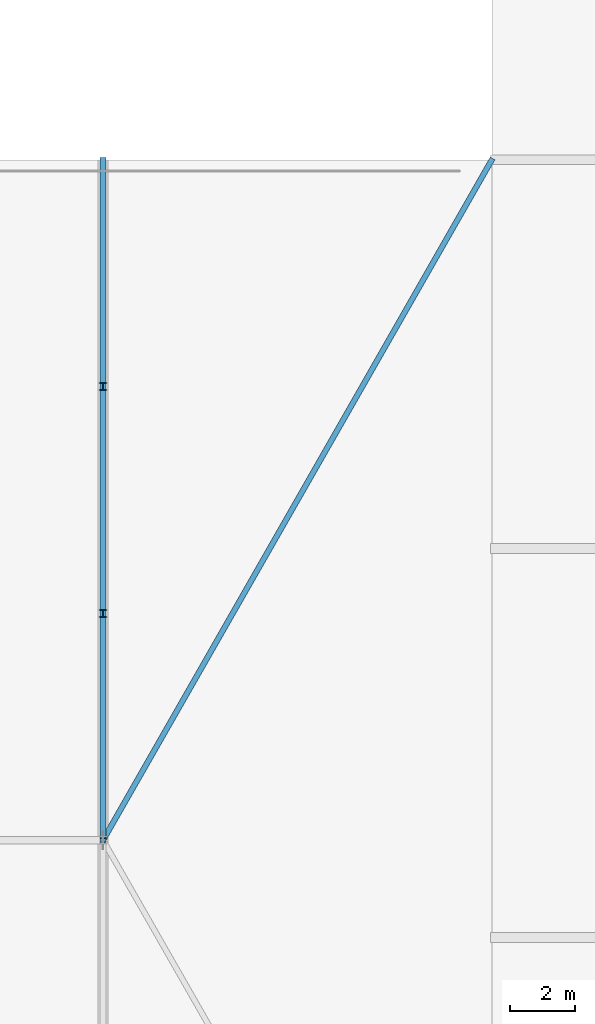
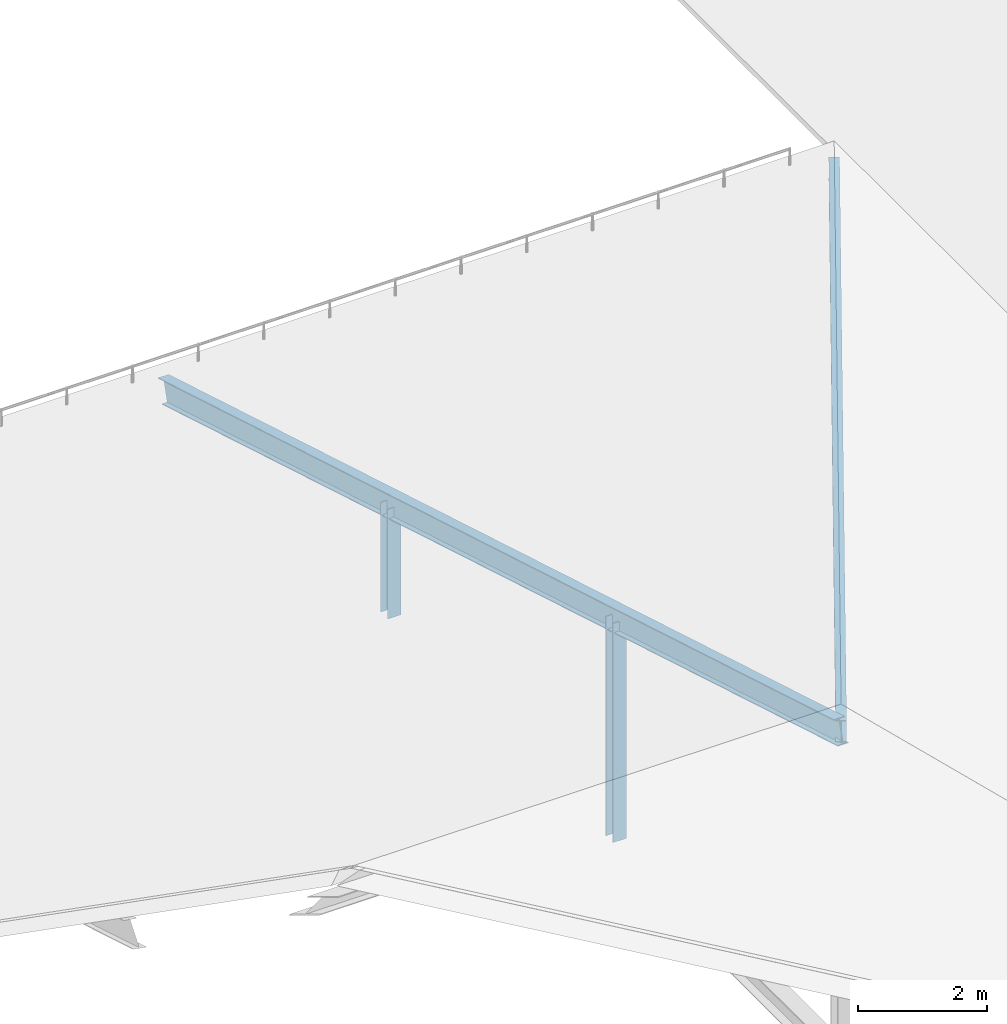
# One storey, part 50 of 204: 4 members.
"""IFC4 building model written with IfcOpenShell, lengths in metres."""

from ifc_helpers import new_model, si_unit, direction, frame, origin, origin_2d, place, context, subcontext, project, spatial, i_section, extrude, material, material_profile, profile_set, type_object, element, save


model = new_model("IFC4")

# Units and contexts
model_context = context("Model", 3, precision=1e-05, world=origin(), true_north=direction((0.0, 1.0)))
body_context = subcontext(model_context, "Body", "Model", "MODEL_VIEW")
ifc_project = project(units=[si_unit("LENGTHUNIT", "METRE"), si_unit("AREAUNIT", "SQUARE_METRE"), si_unit("VOLUMEUNIT", "CUBIC_METRE"), si_unit("PLANEANGLEUNIT", "RADIAN"), si_unit("MASSUNIT", "GRAM", prefix="KILO")], contexts=[model_context])

# Site, building, storey
site_placement = place(None, origin())
site = spatial("IfcSite", under=ifc_project, at=site_placement, CompositionType="ELEMENT")
building_placement = place(site_placement, origin())
building = spatial("IfcBuilding", under=site, at=building_placement, Name="Zilviju Railside Exhibition Hall", CompositionType="ELEMENT")
storey_placement = place(building_placement, frame((0.0, 0.0, 21.0)))
storey = spatial("IfcBuildingStorey", under=building, at=storey_placement, Name="RF", CompositionType="ELEMENT", Elevation=21.0)

# Members
ifc_material = material(Name="Steel S355J2", Category="steel")
ifc_material_profile_1 = material_profile(ifc_material, i_section(OverallWidth=0.239990234375, OverallDepth=0.22998046875, WebThickness=0.007568359375, FlangeThickness=0.011962890625, at=origin_2d()), Name="HEA 240")
ifc_profile_set_1 = profile_set([ifc_material_profile_1], Name="Steel S355J2")
member_type_1 = type_object("IfcMemberType", Name="TR-POST-HEA240", PredefinedType="POST", material=ifc_profile_set_1)
member_1_placement = place(storey_placement, frame((36.0, 64.0, -8.39990234375), z_axis=(0.0, 0.0, 1.0), x_axis=(1.0, 0.0, 0.0)))
element("IfcMember", 1, at=member_1_placement, inside=storey, type_object=member_type_1, Name="Congress Truss Web Post X=36.0", PredefinedType="POST", context=body_context, shape_type="SweptSolid", body=[
    extrude(i_section(OverallWidth=0.239990234375, OverallDepth=0.22998046875, WebThickness=0.007568359375, FlangeThickness=0.011962890625, at=origin_2d()), origin(), (0.0, 0.0, 1.0), 4.159912109375),
])
member_2_placement = place(storey_placement, frame((36.0, 71.0, -8.39990234375), z_axis=(0.0, 0.0, 1.0), x_axis=(1.0, 0.0, 0.0)))
element("IfcMember", 2, at=member_2_placement, inside=storey, type_object=member_type_1, Name="Congress Truss Web Post X=36.0", PredefinedType="POST", context=body_context, shape_type="SweptSolid", body=[
    extrude(i_section(OverallWidth=0.239990234375, OverallDepth=0.22998046875, WebThickness=0.007568359375, FlangeThickness=0.011962890625, at=origin_2d()), origin(), (0.0, 0.0, 1.0), 2.079833984375),
])
ifc_material_profile_2 = material_profile(ifc_material, i_section(OverallWidth=0.169921875, OverallDepth=0.360107421875, WebThickness=0.008056640625, FlangeThickness=0.0126953125, at=origin_2d()), Name="IPE 360")
ifc_profile_set_2 = profile_set([ifc_material_profile_2], Name="Steel S355J2")
member_type_2 = type_object("IfcMemberType", Name="TR-RAF-IPE360", PredefinedType="RAFTER", material=ifc_profile_set_2)
member_3_placement = place(storey_placement, frame((48.0, 78.0, -8.39990234375), z_axis=(-0.480360405507, -0.840630709637, 0.250187711202), x_axis=(0.868243142124, -0.496138938357, 0.0)))
element("IfcMember", 3, at=member_3_placement, inside=storey, type_object=member_type_2, Name="Congress Hip Rafter", PredefinedType="RAFTER", context=body_context, shape_type="SweptSolid", body=[
    extrude(i_section(OverallWidth=0.169921875, OverallDepth=0.360107421875, WebThickness=0.008056640625, FlangeThickness=0.0126953125, at=origin_2d()), origin(), (0.0, 0.0, 1.0), 24.981201171875),
])
ifc_material_profile_3 = material_profile(ifc_material, i_section(OverallWidth=0.18994140625, OverallDepth=0.449951171875, WebThickness=0.009521484375, FlangeThickness=0.0146484375, at=origin_2d()), Name="IPE 450")
ifc_profile_set_3 = profile_set([ifc_material_profile_3], Name="Steel S355J2")
member_type_3 = type_object("IfcMemberType", Name="TR-RAF-IPE450", PredefinedType="RAFTER", material=ifc_profile_set_3)
member_4_placement = place(storey_placement, frame((36.0, 57.0, -2.14990234375), z_axis=(0.0, 0.958452078441, -0.285253594774), x_axis=(-1.0, 0.0, 0.0)))
element("IfcMember", 4, at=member_4_placement, inside=storey, type_object=member_type_3, Name="Congress Pitched Truss North Rafter X=36.0", PredefinedType="RAFTER", context=body_context, shape_type="SweptSolid", body=[
    extrude(i_section(OverallWidth=0.18994140625, OverallDepth=0.449951171875, WebThickness=0.009521484375, FlangeThickness=0.0146484375, at=origin_2d()), origin(), (0.0, 0.0, 1.0), 21.910400390625),
])

save(model, "model.ifc")
